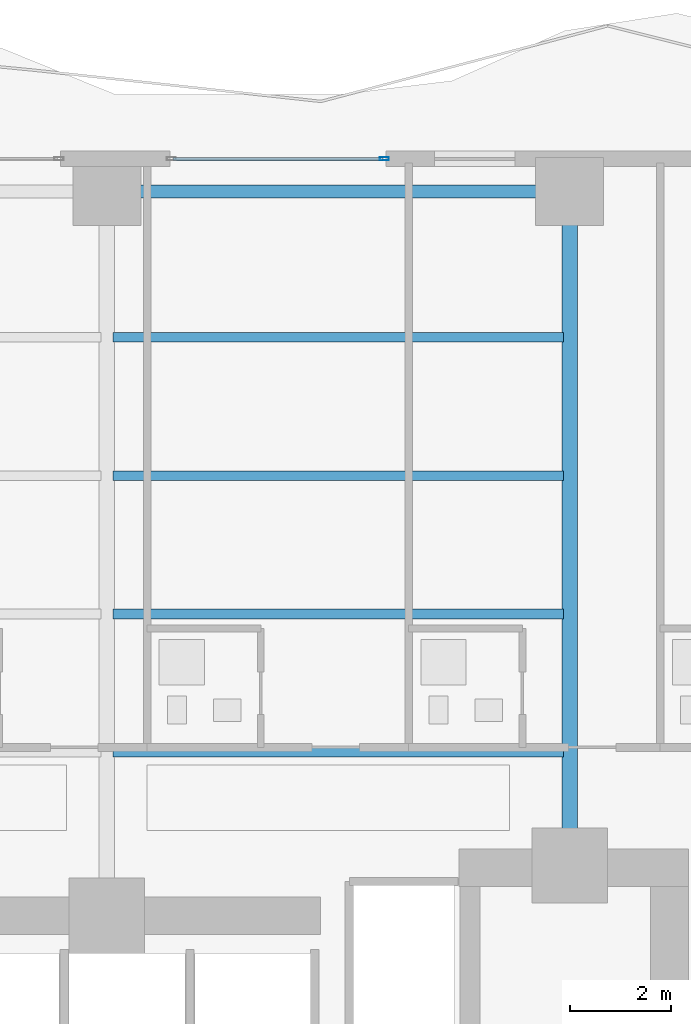
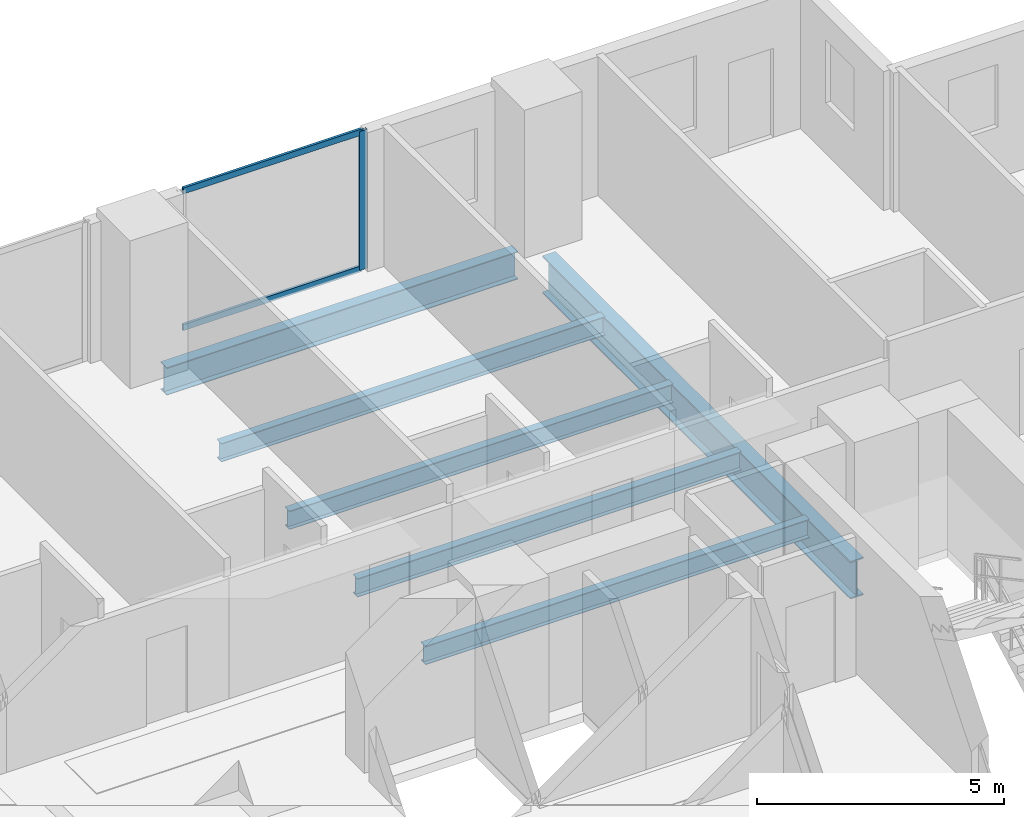
# One storey, part 18 of 29: 6 beams, 3 members, 1 element without a shape of its own.
"""IFC4 building model written with IfcOpenShell, lengths in metres."""

from ifc_helpers import new_model, si_unit, direction, frame, origin, origin_2d, place, context, subcontext, project, spatial, hollow_rectangle, i_section, extrude, material, layer, layer_set, material_profile, profile_set, type_object, element, aggregate, save


model = new_model("IFC4")

# Units and contexts
model_context = context("Model", 3, precision=1e-05, world=origin(), true_north=direction((0.0, 1.0)))
body_context = subcontext(model_context, "Body", "Model", "MODEL_VIEW")
ifc_project = project(units=[si_unit("LENGTHUNIT", "METRE"), si_unit("AREAUNIT", "SQUARE_METRE"), si_unit("VOLUMEUNIT", "CUBIC_METRE"), si_unit("PLANEANGLEUNIT", "RADIAN"), si_unit("MASSUNIT", "GRAM", prefix="KILO")], contexts=[model_context])

# Site, building, storey
site_placement = place(None, origin())
site = spatial("IfcSite", under=ifc_project, at=site_placement, CompositionType="ELEMENT")
building_placement = place(site_placement, origin())
building = spatial("IfcBuilding", under=site, at=building_placement, Name="Zuhayl Quay Hotel", CompositionType="ELEMENT")
storey_placement = place(building_placement, frame((0.0, 0.0, 106.60009765625)))
storey = spatial("IfcBuildingStorey", under=building, at=storey_placement, Name="L26", CompositionType="ELEMENT", Elevation=106.60009765625)

# Beams
ifc_material_1 = material(Name="Steel ASTM A992 Grade 50", Category="steel")
ifc_material_profile_1 = material_profile(ifc_material_1, i_section(OverallWidth=0.25390625, OverallDepth=0.68310546875, WebThickness=0.012451171875, FlangeThickness=0.018798828125, at=origin_2d()), Name="W27X94")
ifc_profile_set_1 = profile_set([ifc_material_profile_1], Name="Steel ASTM A992 Grade 50")
beam_type_1 = type_object("IfcBeamType", Name="BM_B2_W27X94", PredefinedType="BEAM", material=ifc_profile_set_1)
beam_1_placement = place(storey_placement, frame((13.300048828125, 27.75, -0.5615234375), z_axis=(-1.0, 0.0, 0.0), x_axis=(0.0, -1.0, 0.0)))
element("IfcBeam", 1, at=beam_1_placement, inside=storey, type_object=beam_type_1, Name="L26 Floor Beam RG_L26_07", PredefinedType="BEAM", context=body_context, shape_type="SweptSolid", body=[
    extrude(i_section(OverallWidth=0.25390625, OverallDepth=0.68310546875, WebThickness=0.012451171875, FlangeThickness=0.018798828125, at=origin_2d()), origin(), (0.0, 0.0, 1.0), 8.199951171875),
])
ifc_material_profile_2 = material_profile(ifc_material_1, i_section(OverallWidth=0.18994140625, OverallDepth=0.45703125, WebThickness=0.009033203125, FlangeThickness=0.014404296875, at=origin_2d()), Name="W18X50")
ifc_profile_set_2 = profile_set([ifc_material_profile_2], Name="Steel ASTM A992 Grade 50")
beam_type_2 = type_object("IfcBeamType", Name="BM_J2_W18X50", PredefinedType="JOIST", material=ifc_profile_set_2)
for number, where, z_axis, x_axis, name in (
    (2, (4.718994140625, 16.60009765625, -0.448486328125), (1.0, 0.0, 0.0), (0.0, 1.0, 0.0), "L26 Floor Beam FJ_L26_1_3"),
    (3, (4.718994140625, 19.35009765625, -0.448486328125), (1.0, 0.0, 0.0), (0.0, 1.0, 0.0), "L26 Floor Beam FJ_L26_2_3"),
    (4, (4.718994140625, 22.10009765625, -0.448486328125), (1.0, 0.0, 0.0), (0.0, 1.0, 0.0), "L26 Floor Beam FJ_L26_3_3"),
    (5, (4.718994140625, 24.85009765625, -0.448486328125), (1.0, 0.0, 0.0), (0.0, 1.0, 0.0), "L26 Floor Beam FJ_L26_4_3"),
):
    element("IfcBeam", number, at=place(storey_placement, frame(where, z_axis=z_axis, x_axis=x_axis)), inside=storey, type_object=beam_type_2, Name=name, PredefinedType="JOIST", context=body_context, shape_type="SweptSolid", body=[
        extrude(i_section(OverallWidth=0.18994140625, OverallDepth=0.45703125, WebThickness=0.009033203125, FlangeThickness=0.014404296875, at=origin_2d()), origin(), (0.0, 0.0, 1.0), 8.9619140625),
    ])
ifc_material_profile_3 = material_profile(ifc_material_1, i_section(OverallWidth=0.306884765625, OverallDepth=0.927001953125, WebThickness=0.019287109375, FlangeThickness=0.031982421875, at=origin_2d()), Name="W36X194")
ifc_profile_set_3 = profile_set([ifc_material_profile_3], Name="Steel ASTM A992 Grade 50")
beam_type_3 = type_object("IfcBeamType", Name="BM_PG2_W36X194", PredefinedType="BEAM", material=ifc_profile_set_3)
beam_2_placement = place(storey_placement, frame((13.800048828125, 14.800048828125, -0.68359375), z_axis=(0.0, 1.0, 0.0), x_axis=(-1.0, 0.0, 0.0)))
element("IfcBeam", 6, at=beam_2_placement, inside=storey, type_object=beam_type_3, Name="L26 Floor Beam FG_N_L26_4", PredefinedType="BEAM", context=body_context, shape_type="SweptSolid", body=[
    extrude(i_section(OverallWidth=0.306884765625, OverallDepth=0.927001953125, WebThickness=0.019287109375, FlangeThickness=0.031982421875, at=origin_2d()), origin(), (0.0, 0.0, 1.0), 12.449951171875),
])

# Curtain wall, members
ifc_material_2 = material(Name="Anodised Aluminium 6063-T6", Category="aluminium")
ifc_layer = layer(ifc_material_2, 0.179931640625, Name="Anodised Aluminium 6063-T6", Category="aluminium")
ifc_layer_set = layer_set([ifc_layer], Name="Anodised Aluminium 6063-T6")
curtain_wall_type = type_object("IfcCurtainWallType", Name="CW_SYS_Z2", PredefinedType="USERDEFINED", material=ifc_layer_set)
curtain_wall_placement = place(storey_placement, origin())
curtain_wall = element("IfcCurtainWall", 7, at=curtain_wall_placement, inside=storey, type_object=curtain_wall_type, Name="L26 Curtain Wall ENV_L26_N_CW6", ObjectType="UNITISED CURTAIN WALL", PredefinedType="USERDEFINED")
ifc_material_3 = material(Name="Black-anodised aluminium 6063-T6", Category="aluminium")
ifc_material_profile_4 = material_profile(ifc_material_3, hollow_rectangle(XDim=0.06494140625, YDim=0.179931640625, WallThickness=0.00341796875, at=origin_2d()), Name="ALU180X65")
ifc_profile_set_4 = profile_set([ifc_material_profile_4], Name="Black-anodised aluminium 6063-T6")
member_type_1 = type_object("IfcMemberType", Name="MB_CW_MUL_180", PredefinedType="MULLION", material=ifc_profile_set_4)
member_1_placement = place(storey_placement, frame((10.117431640625, 28.39990234375, 0.0), z_axis=(0.0, 0.0, 1.0), x_axis=(0.0, 1.0, 0.0)))
member_1 = element("IfcMember", 8, at=member_1_placement, type_object=member_type_1, Name="CW-Z2 mullion 2", PredefinedType="MULLION", context=body_context, shape_type="SweptSolid", body=[
    extrude(hollow_rectangle(XDim=0.06494140625, YDim=0.179931640625, WallThickness=0.00341796875, at=origin_2d()), origin(), (0.0, 0.0, 1.0), 3.429931640625),
])
ifc_material_profile_5 = material_profile(ifc_material_3, hollow_rectangle(XDim=0.06005859375, YDim=0.14990234375, WallThickness=0.00341796875, at=origin_2d()), Name="ALU150X60")
ifc_profile_set_5 = profile_set([ifc_material_profile_5], Name="Black-anodised aluminium 6063-T6")
member_type_2 = type_object("IfcMemberType", Name="MB_CW_TRN_150", PredefinedType="USERDEFINED", material=ifc_profile_set_5)
member_2_placement = place(storey_placement, frame((5.9150390625, 28.39990234375, 0.02978515625), z_axis=(1.0, 0.0, 0.0), x_axis=(0.0, 1.0, 0.0)))
member_2 = element("IfcMember", 9, at=member_2_placement, type_object=member_type_2, Name="CW-Z2 transom 1.1", ObjectType="TRANSOM", PredefinedType="USERDEFINED", context=body_context, shape_type="SweptSolid", body=[
    extrude(hollow_rectangle(XDim=0.06005859375, YDim=0.14990234375, WallThickness=0.00341796875, at=origin_2d()), origin(), (0.0, 0.0, 1.0), 4.169921875),
])
member_3_placement = place(storey_placement, frame((5.9150390625, 28.39990234375, 3.39990234375), z_axis=(1.0, 0.0, 0.0), x_axis=(0.0, 1.0, 0.0)))
member_3 = element("IfcMember", 10, at=member_3_placement, type_object=member_type_2, Name="CW-Z2 transom 1.2", ObjectType="TRANSOM", PredefinedType="USERDEFINED", context=body_context, shape_type="SweptSolid", body=[
    extrude(hollow_rectangle(XDim=0.06005859375, YDim=0.14990234375, WallThickness=0.00341796875, at=origin_2d()), origin(), (0.0, 0.0, 1.0), 4.169921875),
])
aggregate(curtain_wall, [member_1, member_2, member_3])

save(model, "model.ifc")
